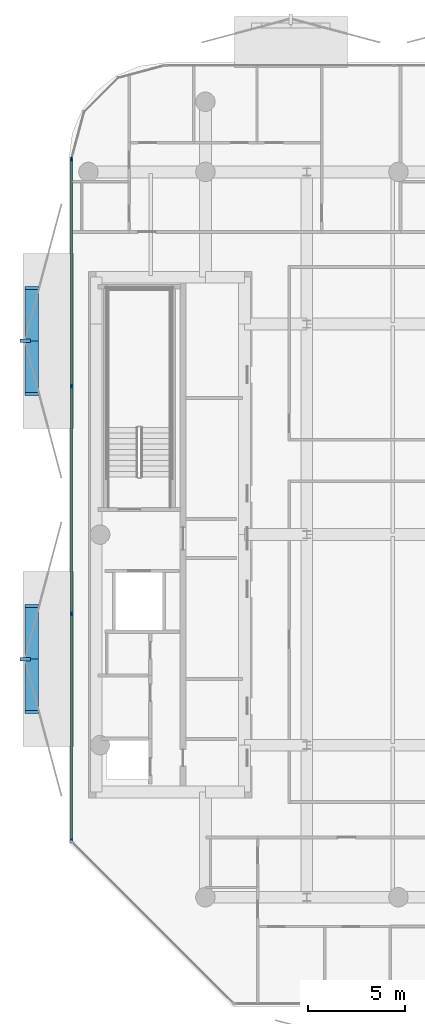
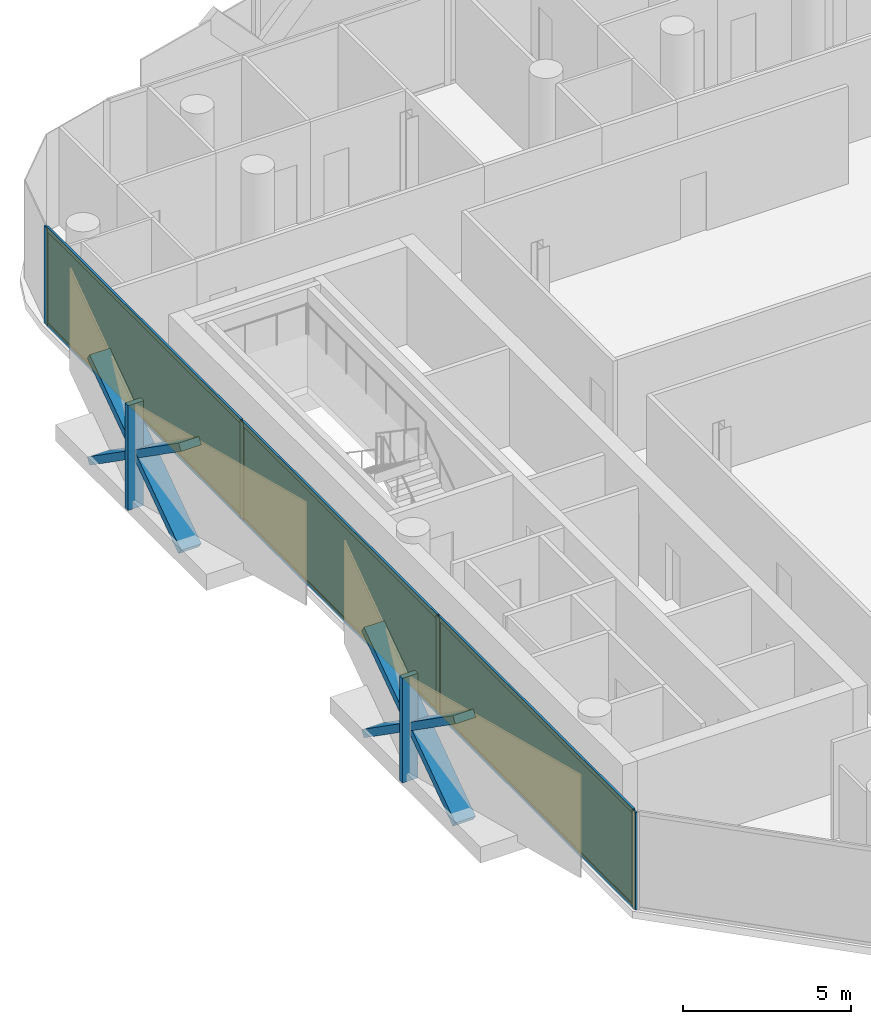
# One storey, part 10 of 17: 16 members, 3 plates, 1 curtain wall.
"""IFC4 building model written with IfcOpenShell, lengths in metres."""

from ifc_helpers import new_model, si_unit, direction, frame, frame_2d, origin, origin_2d, place, context, subcontext, project, spatial, rectangle, extrude, material, layer, layer_set, material_profile, profile_set, type_object, element, aggregate, save


model = new_model("IFC4")

# Units and contexts
model_context = context("Model", 3, precision=1e-05, world=origin(), true_north=direction((0.0, 1.0)))
body_context = subcontext(model_context, "Body", "Model", "MODEL_VIEW")
ifc_project = project(units=[si_unit("LENGTHUNIT", "METRE"), si_unit("AREAUNIT", "SQUARE_METRE"), si_unit("VOLUMEUNIT", "CUBIC_METRE"), si_unit("PLANEANGLEUNIT", "RADIAN"), si_unit("MASSUNIT", "GRAM", prefix="KILO")], contexts=[model_context])

# Member
ifc_material_1 = material(Name="Anodised Bronze Aluminium 6063-T6", Category="aluminium")
ifc_material_profile_1 = material_profile(ifc_material_1, rectangle(XDim=0.260009765625, YDim=0.699951171875, at=origin_2d()))
ifc_profile_set_1 = profile_set([ifc_material_profile_1], Name="Anodised Bronze Aluminium 6063-T6")
member_type_1 = type_object("IfcMemberType", Name="Bronze Diamond Solar-Screen Lattice Rib BDL-700", PredefinedType="MULLION", material=ifc_profile_set_1)
site_placement = place(None, origin())
building_placement = place(site_placement, origin())
storey_placement = place(building_placement, frame((0.0, 0.0, 304.199951171875)))
member_1_placement = place(storey_placement, frame((-23.300048828125, -9.103271484375, -0.1298828125), z_axis=(0.0, 0.819743282302, 0.572731133361), x_axis=(0.0, -0.572731133361, 0.819743282302)))
member_1 = element("IfcMember", 1, at=member_1_placement, type_object=member_type_1, Name="L73 Bronze Diamond Solar Screen Lattice Rib 512A", PredefinedType="MULLION", context=body_context, shape_type="SweptSolid", body=[
    extrude(rectangle(XDim=0.260009765625, YDim=0.699951171875, at=origin_2d()), origin(), (0.0, 0.0, 1.0), 6.635009765625),
])

member_2_placement = place(storey_placement, frame((-23.300048828125, -3.664306640625, -0.1298828125), z_axis=(0.0, -0.819743282302, 0.572731133361), x_axis=(0.0, 0.572731133361, 0.819743282302)))
member_2 = element("IfcMember", 2, at=member_2_placement, type_object=member_type_1, Name="L73 Bronze Diamond Solar Screen Lattice Rib 512B", PredefinedType="MULLION", context=body_context, shape_type="SweptSolid", body=[
    extrude(rectangle(XDim=0.260009765625, YDim=0.699951171875, at=origin_2d()), origin(), (0.0, 0.0, 1.0), 6.635009765625),
])

member_3_placement = place(storey_placement, frame((-23.300048828125, 7.213134765625, -0.1298828125), z_axis=(0.0, 0.819743282302, 0.572731133361), x_axis=(0.0, -0.572731133361, 0.819743282302)))
member_3 = element("IfcMember", 3, at=member_3_placement, type_object=member_type_1, Name="L73 Bronze Diamond Solar Screen Lattice Rib 513A", PredefinedType="MULLION", context=body_context, shape_type="SweptSolid", body=[
    extrude(rectangle(XDim=0.260009765625, YDim=0.699951171875, at=origin_2d()), origin(), (0.0, 0.0, 1.0), 6.635009765625),
])

member_4_placement = place(storey_placement, frame((-23.300048828125, 12.652099609375, -0.1298828125), z_axis=(0.0, -0.819743282302, 0.572731133361), x_axis=(0.0, 0.572731133361, 0.819743282302)))
member_4 = element("IfcMember", 4, at=member_4_placement, type_object=member_type_1, Name="L73 Bronze Diamond Solar Screen Lattice Rib 513B", PredefinedType="MULLION", context=body_context, shape_type="SweptSolid", body=[
    extrude(rectangle(XDim=0.260009765625, YDim=0.699951171875, at=origin_2d()), origin(), (0.0, 0.0, 1.0), 6.635009765625),
])

ifc_material_2 = material(Name="Anodised Bronze Aluminium 6063-T6", Category="aluminium")
ifc_material_profile_2 = material_profile(ifc_material_2, rectangle(XDim=0.179931640625, YDim=0.5400390625, at=origin_2d()))
ifc_profile_set_2 = profile_set([ifc_material_profile_2], Name="Anodised Bronze Aluminium 6063-T6")
member_type_2 = type_object("IfcMemberType", Name="Bronze Solar-Screen Vertical Fold Fin BSF-540", PredefinedType="MULLION", material=ifc_profile_set_2)
member_5_placement = place(storey_placement, frame((-23.639892578125, -6.3837890625, -0.1298828125), z_axis=(0.0, 0.0, 1.0), x_axis=(0.0, 1.0, 0.0)))
member_5 = element("IfcMember", 5, at=member_5_placement, type_object=member_type_2, Name="L73 Bronze Solar Screen Vertical Fin 512", PredefinedType="MULLION", context=body_context, shape_type="SweptSolid", body=[
    extrude(rectangle(XDim=0.179931640625, YDim=0.5400390625, at=origin_2d()), origin(), (0.0, 0.0, 1.0), 3.800048828125),
])

member_6_placement = place(storey_placement, frame((-23.639892578125, 9.9326171875, -0.1298828125), z_axis=(0.0, 0.0, 1.0), x_axis=(0.0, 1.0, 0.0)))
member_6 = element("IfcMember", 6, at=member_6_placement, type_object=member_type_2, Name="L73 Bronze Solar Screen Vertical Fin 513", PredefinedType="MULLION", context=body_context, shape_type="SweptSolid", body=[
    extrude(rectangle(XDim=0.179931640625, YDim=0.5400390625, at=origin_2d()), origin(), (0.0, 0.0, 1.0), 3.800048828125),
])

ifc_material_3 = material(Name="Anodised Bronze Aluminium 6063-T6", Category="aluminium")
ifc_material_profile_3 = material_profile(ifc_material_3, rectangle(XDim=0.074951171875, YDim=0.2099609375, at=origin_2d()))
ifc_profile_set_3 = profile_set([ifc_material_profile_3], Name="Anodised Bronze Aluminium 6063-T6")
member_type_3 = type_object("IfcMemberType", Name="CW-CRN Mullion 75x210", PredefinedType="MULLION", material=ifc_profile_set_3)
member_7_placement = place(storey_placement, frame((-21.260009765625, -15.70458984375, 0.0), z_axis=(0.0, 0.0, 1.0), x_axis=(-1.0, 0.0, 0.0)))
member_7 = element("IfcMember", 7, at=member_7_placement, type_object=member_type_3, Name="CW-CRN mullion 1", PredefinedType="MULLION", context=body_context, shape_type="SweptSolid", body=[
    extrude(rectangle(XDim=0.074951171875, YDim=0.2099609375, at=origin_2d()), origin(), (0.0, 0.0, 1.0), 3.5400390625),
])

member_8_placement = place(storey_placement, frame((-21.260009765625, -4.064453125, 0.0), z_axis=(0.0, 0.0, 1.0), x_axis=(-1.0, 0.0, 0.0)))
member_8 = element("IfcMember", 8, at=member_8_placement, type_object=member_type_3, Name="CW-CRN mullion 2", PredefinedType="MULLION", context=body_context, shape_type="SweptSolid", body=[
    extrude(rectangle(XDim=0.074951171875, YDim=0.2099609375, at=origin_2d()), origin(), (0.0, 0.0, 1.0), 3.5400390625),
])

member_9_placement = place(storey_placement, frame((-21.260009765625, 7.61328125, 0.0), z_axis=(0.0, 0.0, 1.0), x_axis=(-1.0, 0.0, 0.0)))
member_9 = element("IfcMember", 9, at=member_9_placement, type_object=member_type_3, Name="CW-CRN mullion 3", PredefinedType="MULLION", context=body_context, shape_type="SweptSolid", body=[
    extrude(rectangle(XDim=0.074951171875, YDim=0.2099609375, at=origin_2d()), origin(), (0.0, 0.0, 1.0), 3.5400390625),
])

member_10_placement = place(storey_placement, frame((-21.260009765625, 19.25341796875, 0.0), z_axis=(0.0, 0.0, 1.0), x_axis=(-1.0, 0.0, 0.0)))
member_10 = element("IfcMember", 10, at=member_10_placement, type_object=member_type_3, Name="CW-CRN mullion 4", PredefinedType="MULLION", context=body_context, shape_type="SweptSolid", body=[
    extrude(rectangle(XDim=0.074951171875, YDim=0.2099609375, at=origin_2d()), origin(), (0.0, 0.0, 1.0), 3.5400390625),
])

ifc_material_4 = material(Name="Anodised Bronze Aluminium 6063-T6", Category="aluminium")
ifc_material_profile_4 = material_profile(ifc_material_4, rectangle(XDim=0.074951171875, YDim=0.1650390625, at=origin_2d()))
ifc_profile_set_4 = profile_set([ifc_material_profile_4], Name="Anodised Bronze Aluminium 6063-T6")
member_type_4 = type_object("IfcMemberType", Name="CW-CRN Transom 75x165", PredefinedType="USERDEFINED", material=ifc_profile_set_4)
member_11_placement = place(storey_placement, frame((-21.260009765625, -15.6669921875, 0.03759765625), z_axis=(0.0, 1.0, 0.0), x_axis=(-1.0, 0.0, 0.0)))
member_11 = element("IfcMember", 11, at=member_11_placement, type_object=member_type_4, Name="CW-CRN transom 1.1", ObjectType="TRANSOM", PredefinedType="USERDEFINED", context=body_context, shape_type="SweptSolid", body=[
    extrude(rectangle(XDim=0.074951171875, YDim=0.1650390625, at=origin_2d()), origin(), (0.0, 0.0, 1.0), 11.565185546875),
])

member_12_placement = place(storey_placement, frame((-21.260009765625, -15.6669921875, 3.50244140625), z_axis=(0.0, 1.0, 0.0), x_axis=(-1.0, 0.0, 0.0)))
member_12 = element("IfcMember", 12, at=member_12_placement, type_object=member_type_4, Name="CW-CRN transom 1.2", ObjectType="TRANSOM", PredefinedType="USERDEFINED", context=body_context, shape_type="SweptSolid", body=[
    extrude(rectangle(XDim=0.074951171875, YDim=0.1650390625, at=origin_2d()), origin(), (0.0, 0.0, 1.0), 11.565185546875),
])

member_13_placement = place(storey_placement, frame((-21.260009765625, -4.02685546875, 0.03759765625), z_axis=(0.0, 1.0, 0.0), x_axis=(-1.0, 0.0, 0.0)))
member_13 = element("IfcMember", 13, at=member_13_placement, type_object=member_type_4, Name="CW-CRN transom 2.1", ObjectType="TRANSOM", PredefinedType="USERDEFINED", context=body_context, shape_type="SweptSolid", body=[
    extrude(rectangle(XDim=0.074951171875, YDim=0.1650390625, at=origin_2d()), origin(), (0.0, 0.0, 1.0), 11.6025390625),
])

member_14_placement = place(storey_placement, frame((-21.260009765625, -4.02685546875, 3.50244140625), z_axis=(0.0, 1.0, 0.0), x_axis=(-1.0, 0.0, 0.0)))
member_14 = element("IfcMember", 14, at=member_14_placement, type_object=member_type_4, Name="CW-CRN transom 2.2", ObjectType="TRANSOM", PredefinedType="USERDEFINED", context=body_context, shape_type="SweptSolid", body=[
    extrude(rectangle(XDim=0.074951171875, YDim=0.1650390625, at=origin_2d()), origin(), (0.0, 0.0, 1.0), 11.6025390625),
])

member_15_placement = place(storey_placement, frame((-21.260009765625, 7.650634765625, 0.03759765625), z_axis=(0.0, 1.0, 0.0), x_axis=(-1.0, 0.0, 0.0)))
member_15 = element("IfcMember", 15, at=member_15_placement, type_object=member_type_4, Name="CW-CRN transom 3.1", ObjectType="TRANSOM", PredefinedType="USERDEFINED", context=body_context, shape_type="SweptSolid", body=[
    extrude(rectangle(XDim=0.074951171875, YDim=0.1650390625, at=origin_2d()), origin(), (0.0, 0.0, 1.0), 11.565185546875),
])

member_16_placement = place(storey_placement, frame((-21.260009765625, 7.650634765625, 3.50244140625), z_axis=(0.0, 1.0, 0.0), x_axis=(-1.0, 0.0, 0.0)))
member_16 = element("IfcMember", 16, at=member_16_placement, type_object=member_type_4, Name="CW-CRN transom 3.2", ObjectType="TRANSOM", PredefinedType="USERDEFINED", context=body_context, shape_type="SweptSolid", body=[
    extrude(rectangle(XDim=0.074951171875, YDim=0.1650390625, at=origin_2d()), origin(), (0.0, 0.0, 1.0), 11.565185546875),
])

# Plate
ifc_material_5 = material(Name="Low-E Solar Control Laminated Glass", Category="glass")
ifc_layer_1 = layer(ifc_material_5, 0.035888671875, Name="Low-E Solar Control Laminated Glass")
ifc_layer_set_1 = layer_set([ifc_layer_1], Name="Low-E Solar Control Laminated Glass")
plate_type = type_object("IfcPlateType", Name="CW-CRN Low-E Double Glazed Panel 36mm", PredefinedType="CURTAIN_PANEL", material=ifc_layer_set_1)
plate_1_placement = place(storey_placement, frame((-21.260009765625, -9.884521484375, 0.0751953125), z_axis=(0.0, 0.0, 1.0), x_axis=(0.0, 1.0, 0.0)))
plate_1 = element("IfcPlate", 17, at=plate_1_placement, type_object=plate_type, Name="CW-CRN panel 1.1", PredefinedType="CURTAIN_PANEL", context=body_context, shape_type="SweptSolid", body=[
    extrude(rectangle(XDim=11.565185546875, YDim=0.035888671875, at=origin_2d()), origin(), (0.0, 0.0, 1.0), 3.389892578125),
])

plate_2_placement = place(storey_placement, frame((-21.260009765625, 1.7744140625, 0.0751953125), z_axis=(0.0, 0.0, 1.0), x_axis=(0.0, 1.0, 0.0)))
plate_2 = element("IfcPlate", 18, at=plate_2_placement, type_object=plate_type, Name="CW-CRN panel 2.1", PredefinedType="CURTAIN_PANEL", context=body_context, shape_type="SweptSolid", body=[
    extrude(rectangle(XDim=11.6025390625, YDim=0.035888671875, at=origin_2d()), origin(), (0.0, 0.0, 1.0), 3.389892578125),
])

plate_3_placement = place(storey_placement, frame((-21.260009765625, 13.433349609375, 0.0751953125), z_axis=(0.0, 0.0, 1.0), x_axis=(0.0, 1.0, 0.0)))
plate_3 = element("IfcPlate", 19, at=plate_3_placement, type_object=plate_type, Name="CW-CRN panel 3.1", PredefinedType="CURTAIN_PANEL", context=body_context, shape_type="SweptSolid", body=[
    extrude(rectangle(XDim=11.565185546875, YDim=0.035888671875, at=origin_2d()), origin(), (0.0, 0.0, 1.0), 3.389892578125),
])

# Site, building, storey
site = spatial("IfcSite", under=ifc_project, at=site_placement, CompositionType="ELEMENT")
building = spatial("IfcBuilding", under=site, at=building_placement, Name="Khairoan Windgate Tower", CompositionType="ELEMENT")
storey = spatial("IfcBuildingStorey", under=building, at=storey_placement, Name="L73", CompositionType="ELEMENT", Elevation=304.199951171875)

# Curtain wall
ifc_material_6 = material(Name="Anodised Bronze Aluminium 6063-T6", Category="aluminium")
ifc_layer_2 = layer(ifc_material_6, 0.2099609375, Name="Anodised Bronze Aluminium 6063-T6")
ifc_layer_set_2 = layer_set([ifc_layer_2], Name="Anodised Bronze Aluminium 6063-T6")
curtain_wall_type = type_object("IfcCurtainWallType", Name="Crown Observation and Vitrine Curtain Wall CW-CRN", PredefinedType="NOTDEFINED", material=ifc_layer_set_2)
curtain_wall_placement = place(storey_placement, frame((-21.260009765625, -15.741943359375, 0.0), z_axis=(0.0, 0.0, 1.0), x_axis=(0.0, 1.0, 0.0)))
curtain_wall = element("IfcCurtainWall", 20, at=curtain_wall_placement, inside=storey, type_object=curtain_wall_type, Name="L73 Unitised Curtain Wall 3", PredefinedType="NOTDEFINED", context=body_context, shape_type="SweptSolid", body=[
    extrude(rectangle(XDim=35.03271484375, YDim=0.010009765625, at=frame_2d((17.516357421875, 0.0))), origin(), (0.0, 0.0, 1.0), 3.5400390625),
])

aggregate(curtain_wall, [member_7, member_8, member_9, member_10, member_11, member_12, plate_1, member_13, member_14, plate_2, member_15, member_16, plate_3, member_1, member_2, member_5, member_3, member_4, member_6])

save(model, "model.ifc")
